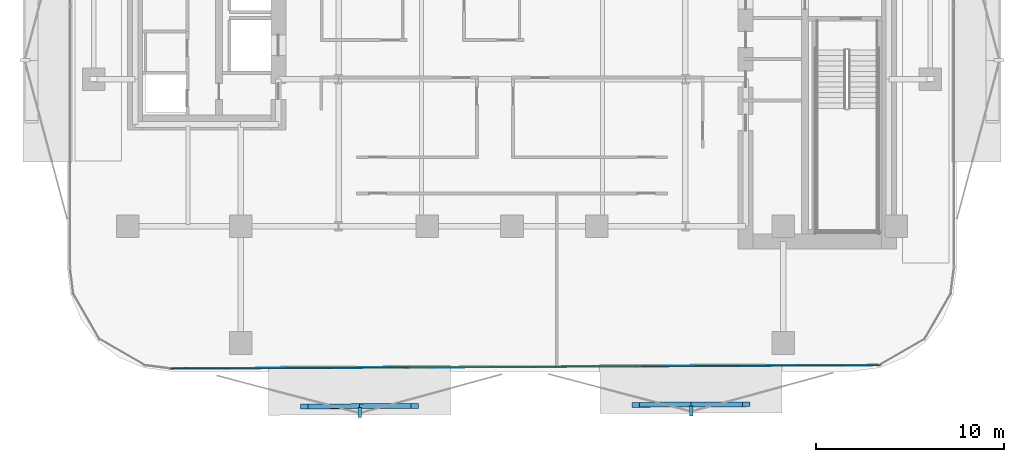
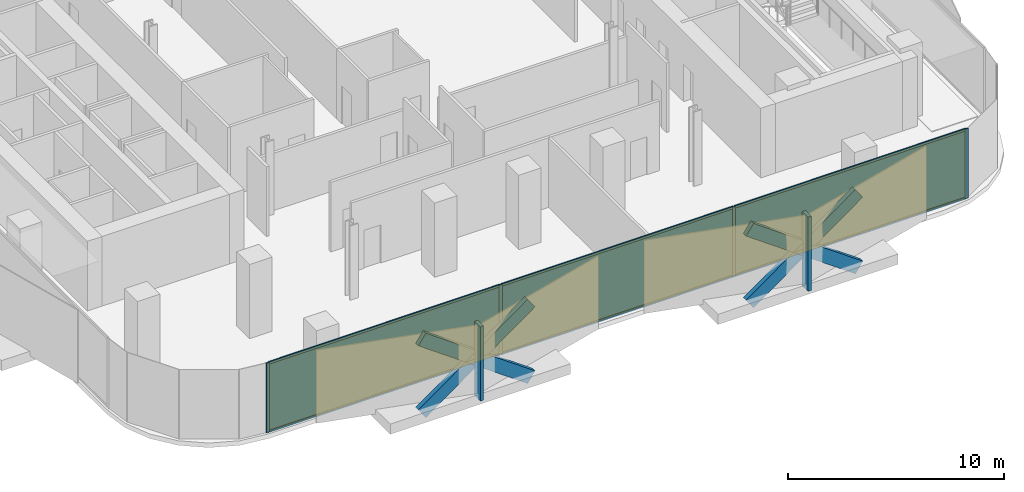
# One storey, part 7 of 16: 16 members, 3 plates, 1 curtain wall.
"""IFC4 building model written with IfcOpenShell, lengths in metres."""

from ifc_helpers import new_model, si_unit, direction, frame, frame_2d, origin, origin_2d, place, context, subcontext, project, spatial, rectangle, extrude, material, layer, layer_set, material_profile, profile_set, type_object, element, aggregate, save


model = new_model("IFC4")

# Units and contexts
model_context = context("Model", 3, precision=1e-05, world=origin(), true_north=direction((0.0, 1.0)))
body_context = subcontext(model_context, "Body", "Model", "MODEL_VIEW")
ifc_project = project(units=[si_unit("LENGTHUNIT", "METRE"), si_unit("AREAUNIT", "SQUARE_METRE"), si_unit("VOLUMEUNIT", "CUBIC_METRE"), si_unit("PLANEANGLEUNIT", "RADIAN"), si_unit("MASSUNIT", "GRAM", prefix="KILO")], contexts=[model_context])

# Member
ifc_material_1 = material(Name="Anodised Bronze Aluminium 6063-T6", Category="aluminium")
ifc_material_profile_1 = material_profile(ifc_material_1, rectangle(XDim=0.260009765625, YDim=0.699951171875, at=origin_2d()))
ifc_profile_set_1 = profile_set([ifc_material_profile_1], Name="Anodised Bronze Aluminium 6063-T6")
member_type_1 = type_object("IfcMemberType", Name="Bronze Diamond Solar-Screen Lattice Rib BDL-700", PredefinedType="MULLION", material=ifc_profile_set_1)
site_placement = place(None, origin())
building_placement = place(site_placement, origin())
storey_placement = place(building_placement, frame((0.0, 0.0, 97.39990234375)))
member_1_placement = place(storey_placement, frame((12.43408203125, -28.05078125, -0.1298828125), z_axis=(-0.812934950133, -0.003960582518, 0.582341034651), x_axis=(-0.007717649091, 0.999962326742, -0.003972780951)))
member_1 = element("IfcMember", 1, at=member_1_placement, type_object=member_type_1, Name="L22 Bronze Diamond Solar Screen Lattice Rib 121A", PredefinedType="MULLION", context=body_context, shape_type="SweptSolid", body=[
    extrude(rectangle(XDim=0.260009765625, YDim=0.699951171875, at=origin_2d()), origin(), (0.0, 0.0, 1.0), 7.212158203125),
])

member_2_placement = place(storey_placement, frame((6.571044921875, -28.079345703125, -0.1298828125), z_axis=(0.812934950133, 0.003960582518, 0.582341034651), x_axis=(0.007717649091, -0.999962326742, -0.003972780951)))
member_2 = element("IfcMember", 2, at=member_2_placement, type_object=member_type_1, Name="L22 Bronze Diamond Solar Screen Lattice Rib 121B", PredefinedType="MULLION", context=body_context, shape_type="SweptSolid", body=[
    extrude(rectangle(XDim=0.260009765625, YDim=0.699951171875, at=origin_2d()), origin(), (0.0, 0.0, 1.0), 7.212158203125),
])

member_3_placement = place(storey_placement, frame((-5.15478515625, -28.13671875, -0.1298828125), z_axis=(-0.812934950133, -0.003960582518, 0.582341034651), x_axis=(-0.007717649091, 0.999962326742, -0.003972780951)))
member_3 = element("IfcMember", 3, at=member_3_placement, type_object=member_type_1, Name="L22 Bronze Diamond Solar Screen Lattice Rib 122A", PredefinedType="MULLION", context=body_context, shape_type="SweptSolid", body=[
    extrude(rectangle(XDim=0.260009765625, YDim=0.699951171875, at=origin_2d()), origin(), (0.0, 0.0, 1.0), 7.212158203125),
])

member_4_placement = place(storey_placement, frame((-11.017822265625, -28.165283203125, -0.1298828125), z_axis=(0.812934950133, 0.003960582518, 0.582341034651), x_axis=(0.007717649091, -0.999962326742, -0.003972780951)))
member_4 = element("IfcMember", 4, at=member_4_placement, type_object=member_type_1, Name="L22 Bronze Diamond Solar Screen Lattice Rib 122B", PredefinedType="MULLION", context=body_context, shape_type="SweptSolid", body=[
    extrude(rectangle(XDim=0.260009765625, YDim=0.699951171875, at=origin_2d()), origin(), (0.0, 0.0, 1.0), 7.212158203125),
])

ifc_material_2 = material(Name="Anodised Bronze Aluminium 6063-T6", Category="aluminium")
ifc_material_profile_2 = material_profile(ifc_material_2, rectangle(XDim=0.179931640625, YDim=0.5400390625, at=origin_2d()))
ifc_profile_set_2 = profile_set([ifc_material_profile_2], Name="Anodised Bronze Aluminium 6063-T6")
member_type_2 = type_object("IfcMemberType", Name="Bronze Solar-Screen Vertical Fold Fin BSF-540", PredefinedType="MULLION", material=ifc_profile_set_2)
member_5_placement = place(storey_placement, frame((9.504150390625, -28.405029296875, -0.1298828125), z_axis=(0.0, 0.0, 1.0), x_axis=(-0.999988059021, -0.004886902454, 0.0)))
member_5 = element("IfcMember", 5, at=member_5_placement, type_object=member_type_2, Name="L22 Bronze Solar Screen Vertical Fin 121", PredefinedType="MULLION", context=body_context, shape_type="SweptSolid", body=[
    extrude(rectangle(XDim=0.179931640625, YDim=0.5400390625, at=origin_2d()), origin(), (0.0, 0.0, 1.0), 4.199951171875),
])

member_6_placement = place(storey_placement, frame((-8.084716796875, -28.4912109375, -0.1298828125), z_axis=(0.0, 0.0, 1.0), x_axis=(-0.999988059021, -0.004886902454, 0.0)))
member_6 = element("IfcMember", 6, at=member_6_placement, type_object=member_type_2, Name="L22 Bronze Solar Screen Vertical Fin 122", PredefinedType="MULLION", context=body_context, shape_type="SweptSolid", body=[
    extrude(rectangle(XDim=0.179931640625, YDim=0.5400390625, at=origin_2d()), origin(), (0.0, 0.0, 1.0), 4.199951171875),
])

ifc_material_3 = material(Name="Anodised Bronze Aluminium 6063-T6", Category="aluminium")
ifc_material_profile_3 = material_profile(ifc_material_3, rectangle(XDim=0.06494140625, YDim=0.175048828125, at=origin_2d()))
ifc_profile_set_3 = profile_set([ifc_material_profile_3], Name="Anodised Bronze Aluminium 6063-T6")
member_type_3 = type_object("IfcMemberType", Name="CW-Z2 Mullion 65x175", PredefinedType="MULLION", material=ifc_profile_set_3)
member_7_placement = place(storey_placement, frame((19.45458984375, -25.976318359375, 0.0), z_axis=(0.0, 0.0, 1.0), x_axis=(0.004891127252, -0.999988038366, 0.0)))
member_7 = element("IfcMember", 7, at=member_7_placement, type_object=member_type_3, Name="CW-Z2 mullion 1", PredefinedType="MULLION", context=body_context, shape_type="SweptSolid", body=[
    extrude(rectangle(XDim=0.06494140625, YDim=0.175048828125, at=origin_2d()), origin(), (0.0, 0.0, 1.0), 3.940185546875),
])

member_8_placement = place(storey_placement, frame((6.961181640625, -26.037353515625, 0.0), z_axis=(0.0, 0.0, 1.0), x_axis=(0.004891127252, -0.999988038366, 0.0)))
member_8 = element("IfcMember", 8, at=member_8_placement, type_object=member_type_3, Name="CW-Z2 mullion 2", PredefinedType="MULLION", context=body_context, shape_type="SweptSolid", body=[
    extrude(rectangle(XDim=0.06494140625, YDim=0.175048828125, at=origin_2d()), origin(), (0.0, 0.0, 1.0), 3.940185546875),
])

member_9_placement = place(storey_placement, frame((-5.56494140625, -26.0986328125, 0.0), z_axis=(0.0, 0.0, 1.0), x_axis=(0.004891127252, -0.999988038366, 0.0)))
member_9 = element("IfcMember", 9, at=member_9_placement, type_object=member_type_3, Name="CW-Z2 mullion 3", PredefinedType="MULLION", context=body_context, shape_type="SweptSolid", body=[
    extrude(rectangle(XDim=0.06494140625, YDim=0.175048828125, at=origin_2d()), origin(), (0.0, 0.0, 1.0), 3.940185546875),
])

member_10_placement = place(storey_placement, frame((-18.058349609375, -26.159912109375, 0.0), z_axis=(0.0, 0.0, 1.0), x_axis=(0.004891127252, -0.999988038366, 0.0)))
member_10 = element("IfcMember", 10, at=member_10_placement, type_object=member_type_3, Name="CW-Z2 mullion 4", PredefinedType="MULLION", context=body_context, shape_type="SweptSolid", body=[
    extrude(rectangle(XDim=0.06494140625, YDim=0.175048828125, at=origin_2d()), origin(), (0.0, 0.0, 1.0), 3.940185546875),
])

ifc_material_4 = material(Name="Anodised Bronze Aluminium 6063-T6", Category="aluminium")
ifc_material_profile_4 = material_profile(ifc_material_4, rectangle(XDim=0.06494140625, YDim=0.135009765625, at=origin_2d()))
ifc_profile_set_4 = profile_set([ifc_material_profile_4], Name="Anodised Bronze Aluminium 6063-T6")
member_type_4 = type_object("IfcMemberType", Name="CW-Z2 Transom 65x135", PredefinedType="USERDEFINED", material=ifc_profile_set_4)
member_11_placement = place(storey_placement, frame((19.422119140625, -25.9765625, 0.03271484375), z_axis=(-0.999988037942, -0.00489121381, 0.0), x_axis=(0.00489121381, -0.999988037942, 0.0)))
member_11 = element("IfcMember", 11, at=member_11_placement, type_object=member_type_4, Name="CW-Z2 transom 1.1", ObjectType="TRANSOM", PredefinedType="USERDEFINED", context=body_context, shape_type="SweptSolid", body=[
    extrude(rectangle(XDim=0.06494140625, YDim=0.135009765625, at=origin_2d()), origin(), (0.0, 0.0, 1.0), 12.4287109375),
])

member_12_placement = place(storey_placement, frame((19.422119140625, -25.9765625, 3.90771484375), z_axis=(-0.999988037942, -0.00489121381, 0.0), x_axis=(0.00489121381, -0.999988037942, 0.0)))
member_12 = element("IfcMember", 12, at=member_12_placement, type_object=member_type_4, Name="CW-Z2 transom 1.2", ObjectType="TRANSOM", PredefinedType="USERDEFINED", context=body_context, shape_type="SweptSolid", body=[
    extrude(rectangle(XDim=0.06494140625, YDim=0.135009765625, at=origin_2d()), origin(), (0.0, 0.0, 1.0), 12.4287109375),
])

member_13_placement = place(storey_placement, frame((6.928466796875, -26.03759765625, 0.03271484375), z_axis=(-0.99998800443, -0.004898060367, 0.0), x_axis=(0.004898060367, -0.99998800443, 0.0)))
member_13 = element("IfcMember", 13, at=member_13_placement, type_object=member_type_4, Name="CW-Z2 transom 2.1", ObjectType="TRANSOM", PredefinedType="USERDEFINED", context=body_context, shape_type="SweptSolid", body=[
    extrude(rectangle(XDim=0.06494140625, YDim=0.135009765625, at=origin_2d()), origin(), (0.0, 0.0, 1.0), 12.461181640625),
])

member_14_placement = place(storey_placement, frame((6.928466796875, -26.03759765625, 3.90771484375), z_axis=(-0.99998800443, -0.004898060367, 0.0), x_axis=(0.004898060367, -0.99998800443, 0.0)))
member_14 = element("IfcMember", 14, at=member_14_placement, type_object=member_type_4, Name="CW-Z2 transom 2.2", ObjectType="TRANSOM", PredefinedType="USERDEFINED", context=body_context, shape_type="SweptSolid", body=[
    extrude(rectangle(XDim=0.06494140625, YDim=0.135009765625, at=origin_2d()), origin(), (0.0, 0.0, 1.0), 12.461181640625),
])

member_15_placement = place(storey_placement, frame((-5.597412109375, -26.098876953125, 0.03271484375), z_axis=(-0.999988037942, -0.00489121381, 0.0), x_axis=(0.00489121381, -0.999988037942, 0.0)))
member_15 = element("IfcMember", 15, at=member_15_placement, type_object=member_type_4, Name="CW-Z2 transom 3.1", ObjectType="TRANSOM", PredefinedType="USERDEFINED", context=body_context, shape_type="SweptSolid", body=[
    extrude(rectangle(XDim=0.06494140625, YDim=0.135009765625, at=origin_2d()), origin(), (0.0, 0.0, 1.0), 12.4287109375),
])

member_16_placement = place(storey_placement, frame((-5.597412109375, -26.098876953125, 3.90771484375), z_axis=(-0.999988037942, -0.00489121381, 0.0), x_axis=(0.00489121381, -0.999988037942, 0.0)))
member_16 = element("IfcMember", 16, at=member_16_placement, type_object=member_type_4, Name="CW-Z2 transom 3.2", ObjectType="TRANSOM", PredefinedType="USERDEFINED", context=body_context, shape_type="SweptSolid", body=[
    extrude(rectangle(XDim=0.06494140625, YDim=0.135009765625, at=origin_2d()), origin(), (0.0, 0.0, 1.0), 12.4287109375),
])

# Plate
ifc_material_5 = material(Name="Low-E Solar Control Laminated Glass", Category="glass")
ifc_layer_1 = layer(ifc_material_5, 0.028076171875, Name="Low-E Solar Control Laminated Glass")
ifc_layer_set_1 = layer_set([ifc_layer_1], Name="Low-E Solar Control Laminated Glass")
plate_type = type_object("IfcPlateType", Name="CW-Z2 Low-E Double Glazed Panel 28mm", PredefinedType="CURTAIN_PANEL", material=ifc_layer_set_1)
plate_1_placement = place(storey_placement, frame((13.207763671875, -26.0068359375, 0.065185546875), z_axis=(0.0, 0.0, 1.0), x_axis=(-0.999988038366, -0.004891127252, 0.0)))
plate_1 = element("IfcPlate", 17, at=plate_1_placement, type_object=plate_type, Name="CW-Z2 panel 1.1", PredefinedType="CURTAIN_PANEL", context=body_context, shape_type="SweptSolid", body=[
    extrude(rectangle(XDim=12.428466796875, YDim=0.028076171875, at=origin_2d()), origin(), (0.0, 0.0, 1.0), 3.81005859375),
])

plate_2_placement = place(storey_placement, frame((0.697998046875, -26.068115234375, 0.065185546875), z_axis=(0.0, 0.0, 1.0), x_axis=(-0.999988038366, -0.004891127252, 0.0)))
plate_2 = element("IfcPlate", 18, at=plate_2_placement, type_object=plate_type, Name="CW-Z2 panel 2.1", PredefinedType="CURTAIN_PANEL", context=body_context, shape_type="SweptSolid", body=[
    extrude(rectangle(XDim=12.461181640625, YDim=0.028076171875, at=origin_2d()), origin(), (0.0, 0.0, 1.0), 3.81005859375),
])

plate_3_placement = place(storey_placement, frame((-11.8115234375, -26.12939453125, 0.065185546875), z_axis=(0.0, 0.0, 1.0), x_axis=(-0.999988038366, -0.004891127252, 0.0)))
plate_3 = element("IfcPlate", 19, at=plate_3_placement, type_object=plate_type, Name="CW-Z2 panel 3.1", PredefinedType="CURTAIN_PANEL", context=body_context, shape_type="SweptSolid", body=[
    extrude(rectangle(XDim=12.428466796875, YDim=0.028076171875, at=origin_2d()), origin(), (0.0, 0.0, 1.0), 3.81005859375),
])

# Site, building, storey
site = spatial("IfcSite", under=ifc_project, at=site_placement, CompositionType="ELEMENT")
building = spatial("IfcBuilding", under=site, at=building_placement, Name="Khairoan Windgate Tower", CompositionType="ELEMENT")
storey = spatial("IfcBuildingStorey", under=building, at=storey_placement, Name="L22", CompositionType="ELEMENT", Elevation=97.39990234375)

# Curtain wall
ifc_material_6 = material(Name="Anodised Bronze Aluminium 6063-T6", Category="aluminium")
ifc_layer_2 = layer(ifc_material_6, 0.175048828125, Name="Anodised Bronze Aluminium 6063-T6")
ifc_layer_set_2 = layer_set([ifc_layer_2], Name="Anodised Bronze Aluminium 6063-T6")
curtain_wall_type = type_object("IfcCurtainWallType", Name="Mid-Rise Office Unitised Curtain Wall CW-Z2", PredefinedType="NOTDEFINED", material=ifc_layer_set_2)
curtain_wall_placement = place(storey_placement, frame((19.487060546875, -25.976318359375, 0.0), z_axis=(0.0, 0.0, 1.0), x_axis=(-0.999988065247, -0.004885628318, 0.0)))
curtain_wall = element("IfcCurtainWall", 20, at=curtain_wall_placement, inside=storey, type_object=curtain_wall_type, Name="L22 Unitised Curtain Wall 1", PredefinedType="NOTDEFINED", context=body_context, shape_type="SweptSolid", body=[
    extrude(rectangle(XDim=37.578369140625, YDim=0.010009765625, at=frame_2d((18.7890625, 0.0))), origin(), (0.0, 0.0, 1.0), 3.940185546875),
])

aggregate(curtain_wall, [member_7, member_8, member_9, member_10, member_11, member_12, plate_1, member_13, member_14, plate_2, member_15, member_16, plate_3, member_1, member_2, member_5, member_3, member_4, member_6])

save(model, "model.ifc")
